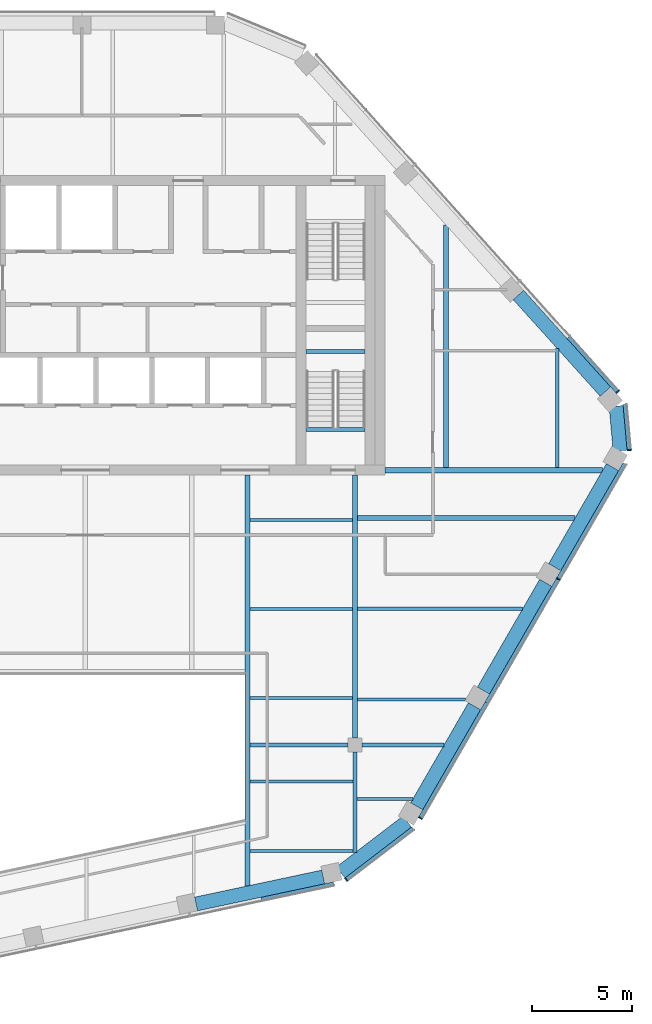
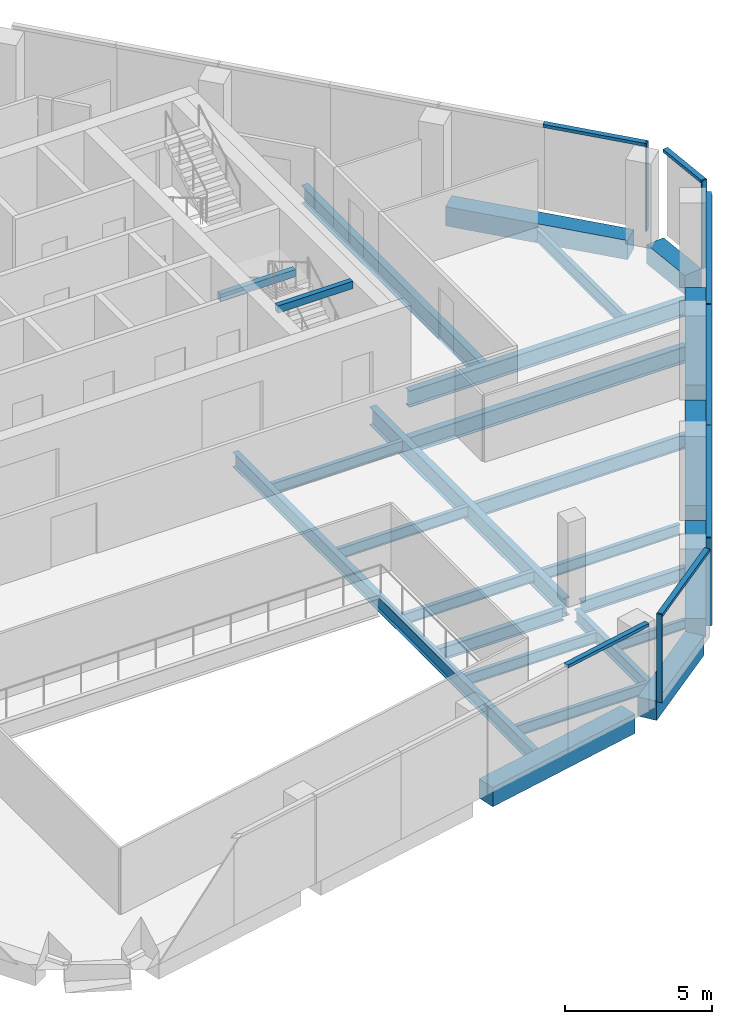
# One storey, part 4 of 15: 26 beams, 12 members, 5 elements without a shape of their own.
"""IFC4 building model written with IfcOpenShell, lengths in metres."""

from ifc_helpers import new_model, si_unit, direction, frame, origin, origin_2d, place, context, subcontext, project, spatial, rectangle, i_section, extrude, material, layer, layer_set, material_profile, profile_set, type_object, element, aggregate, save


model = new_model("IFC4")

# Units and contexts
model_context = context("Model", 3, precision=1e-05, world=origin(), true_north=direction((0.0, 1.0)))
body_context = subcontext(model_context, "Body", "Model", "MODEL_VIEW")
ifc_project = project(units=[si_unit("LENGTHUNIT", "METRE"), si_unit("AREAUNIT", "SQUARE_METRE"), si_unit("VOLUMEUNIT", "CUBIC_METRE"), si_unit("PLANEANGLEUNIT", "RADIAN"), si_unit("MASSUNIT", "GRAM", prefix="KILO")], contexts=[model_context])

# Site, building, storey
site_placement = place(None, origin())
site = spatial("IfcSite", under=ifc_project, at=site_placement, CompositionType="ELEMENT")
building_placement = place(site_placement, origin())
building = spatial("IfcBuilding", under=site, at=building_placement, Name="Isthmus Gate Tower", CompositionType="ELEMENT")
storey_placement = place(building_placement, frame((0.0, 0.0, 268.25)))
storey = spatial("IfcBuildingStorey", under=building, at=storey_placement, Name="L68", CompositionType="ELEMENT", Elevation=268.25)

# Curtain wall, member
ifc_material_1 = material(Name="Aluminium, pale champagne anodised", Category="aluminium")
ifc_layer = layer(ifc_material_1, 0.199951171875)
ifc_layer_set = layer_set([ifc_layer], Name="CW-1 UNITISED CURTAIN WALL 200 DEEP")
curtain_wall_type = type_object("IfcCurtainWallType", Name="CW-1 UNITISED CURTAIN WALL 200 DEEP", PredefinedType="NOTDEFINED", material=ifc_layer_set)
curtain_wall_1_placement = place(storey_placement, origin())
curtain_wall_1 = element("IfcCurtainWall", 1, at=curtain_wall_1_placement, inside=storey, type_object=curtain_wall_type, Name="CW-1 S-SE L68", PredefinedType="NOTDEFINED")
ifc_material_2 = material(Name="Aluminium, pale champagne anodised", Category="aluminium")
ifc_material_profile_1 = material_profile(ifc_material_2, rectangle(XDim=0.06005859375, YDim=0.199951171875, at=origin_2d()), Name="60x200")
ifc_profile_set_1 = profile_set([ifc_material_profile_1], Name="Aluminium, pale champagne anodised")
member_type_1 = type_object("IfcMemberType", Name="CW-1 MULLION 60 X 200", PredefinedType="MULLION", material=ifc_profile_set_1)
member_1_placement = place(storey_placement, frame((13.055908203125, -20.241455078125, 0.0), z_axis=(0.0, 0.0, 1.0), x_axis=(0.794188594387, 0.607671355706, 0.0)))
member_1 = element("IfcMember", 2, at=member_1_placement, type_object=member_type_1, Name="CW-1 mullion", PredefinedType="MULLION", context=body_context, shape_type="SweptSolid", body=[
    extrude(rectangle(XDim=0.06005859375, YDim=0.199951171875, at=origin_2d()), origin(), (0.0, 0.0, 1.0), 3.64990234375),
])

# Curtain wall, members
curtain_wall_2_placement = place(storey_placement, origin())
curtain_wall_2 = element("IfcCurtainWall", 3, at=curtain_wall_2_placement, inside=storey, type_object=curtain_wall_type, Name="CW-1 SE L68", PredefinedType="NOTDEFINED")
member_2_placement = place(storey_placement, frame((16.765380859375, -17.161376953125, 0.0), z_axis=(0.0, 0.0, 1.0), x_axis=(0.5, 0.866025403784, 0.0)))
member_2 = element("IfcMember", 4, at=member_2_placement, type_object=member_type_1, Name="CW-1 mullion", PredefinedType="MULLION", context=body_context, shape_type="SweptSolid", body=[
    extrude(rectangle(XDim=0.06005859375, YDim=0.199951171875, at=origin_2d()), origin(), (0.0, 0.0, 1.0), 3.64990234375),
])
member_3_placement = place(storey_placement, frame((23.675048828125, -5.193603515625, 0.0), z_axis=(0.0, 0.0, 1.0), x_axis=(0.5, 0.866025403784, 0.0)))
member_3 = element("IfcMember", 5, at=member_3_placement, type_object=member_type_1, Name="CW-1 mullion", PredefinedType="MULLION", context=body_context, shape_type="SweptSolid", body=[
    extrude(rectangle(XDim=0.06005859375, YDim=0.199951171875, at=origin_2d()), origin(), (0.0, 0.0, 1.0), 3.64990234375),
])

# Curtain wall, member
curtain_wall_3_placement = place(storey_placement, origin())
curtain_wall_3 = element("IfcCurtainWall", 6, at=curtain_wall_3_placement, inside=storey, type_object=curtain_wall_type, Name="CW-1 SE-NE L68", PredefinedType="NOTDEFINED")
member_4_placement = place(storey_placement, frame((27.21875, 1.258056640625, 0.0), z_axis=(0.0, 0.0, 1.0), x_axis=(-0.089396669717, 0.995996102123, 0.0)))
member_4 = element("IfcMember", 7, at=member_4_placement, type_object=member_type_1, Name="CW-1 mullion", PredefinedType="MULLION", context=body_context, shape_type="SweptSolid", body=[
    extrude(rectangle(XDim=0.06005859375, YDim=0.199951171875, at=origin_2d()), origin(), (0.0, 0.0, 1.0), 3.64990234375),
])

curtain_wall_4_placement = place(storey_placement, origin())
curtain_wall_4 = element("IfcCurtainWall", 8, at=curtain_wall_4_placement, inside=storey, type_object=curtain_wall_type, Name="CW-1 NE L68", PredefinedType="NOTDEFINED")
member_5_placement = place(storey_placement, frame((26.6474609375, 4.17626953125, 0.0), z_axis=(0.0, 0.0, 1.0), x_axis=(-0.669130606359, 0.743144825477, 0.0)))
member_5 = element("IfcMember", 9, at=member_5_placement, type_object=member_type_1, Name="CW-1 mullion", PredefinedType="MULLION", context=body_context, shape_type="SweptSolid", body=[
    extrude(rectangle(XDim=0.06005859375, YDim=0.199951171875, at=origin_2d()), origin(), (0.0, 0.0, 1.0), 3.64990234375),
])

curtain_wall_5_placement = place(storey_placement, origin())
curtain_wall_5 = element("IfcCurtainWall", 10, at=curtain_wall_5_placement, inside=storey, type_object=curtain_wall_type, Name="CW-1 S L68", PredefinedType="NOTDEFINED")
ifc_material_3 = material(Name="Aluminium, pale champagne anodised", Category="aluminium")
ifc_material_profile_2 = material_profile(ifc_material_3, rectangle(XDim=0.199951171875, YDim=0.1298828125, at=origin_2d()), Name="200x130")
ifc_profile_set_2 = profile_set([ifc_material_profile_2], Name="Aluminium, pale champagne anodised")
member_type_2 = type_object("IfcMemberType", Name="CW-1 TRANSOM 200 X 130", PredefinedType="USERDEFINED", material=ifc_profile_set_2)
member_6_placement = place(storey_placement, frame((8.816162109375, -21.228271484375, 3.5849609375), z_axis=(0.978146451283, 0.207917098487, 0.0), x_axis=(-0.207917098487, 0.978146451283, 0.0)))
member_6 = element("IfcMember", 11, at=member_6_placement, type_object=member_type_2, Name="CW-1 transom", ObjectType="TRANSOM", PredefinedType="USERDEFINED", context=body_context, shape_type="SweptSolid", body=[
    extrude(rectangle(XDim=0.199951171875, YDim=0.1298828125, at=origin_2d()), origin(), (0.0, 0.0, 1.0), 3.70361328125),
])
aggregate(curtain_wall_5, [member_6])

# Member
member_7_placement = place(storey_placement, frame((13.07958984375, -20.22314453125, 3.5849609375), z_axis=(0.794225234414, 0.607623466482, 0.0), x_axis=(-0.607623466482, 0.794225234414, 0.0)))
member_7 = element("IfcMember", 12, at=member_7_placement, type_object=member_type_2, Name="CW-1 transom", ObjectType="TRANSOM", PredefinedType="USERDEFINED", context=body_context, shape_type="SweptSolid", body=[
    extrude(rectangle(XDim=0.199951171875, YDim=0.1298828125, at=origin_2d()), origin(), (0.0, 0.0, 1.0), 4.181396484375),
])

aggregate(curtain_wall_1, [member_1, member_7])

member_8_placement = place(storey_placement, frame((16.780517578125, -17.135498046875, 3.5849609375), z_axis=(0.49999574405, 0.866027860944, 0.0), x_axis=(-0.866027860944, 0.49999574405, 0.0)))
member_8 = element("IfcMember", 13, at=member_8_placement, type_object=member_type_2, Name="CW-1 transom", ObjectType="TRANSOM", PredefinedType="USERDEFINED", context=body_context, shape_type="SweptSolid", body=[
    extrude(rectangle(XDim=0.199951171875, YDim=0.1298828125, at=origin_2d()), origin(), (0.0, 0.0, 1.0), 6.62451171875),
])

member_9_placement = place(storey_placement, frame((20.0927734375, -11.3984375, 3.5849609375), z_axis=(0.499985098601, 0.86603400694, 0.0), x_axis=(-0.86603400694, 0.499985098601, 0.0)))
member_9 = element("IfcMember", 14, at=member_9_placement, type_object=member_type_2, Name="CW-1 transom", ObjectType="TRANSOM", PredefinedType="USERDEFINED", context=body_context, shape_type="SweptSolid", body=[
    extrude(rectangle(XDim=0.199951171875, YDim=0.1298828125, at=origin_2d()), origin(), (0.0, 0.0, 1.0), 7.134521484375),
])

member_10_placement = place(storey_placement, frame((23.68994140625, -5.167724609375, 3.5849609375), z_axis=(0.49999574405, 0.866027860944, 0.0), x_axis=(-0.866027860944, 0.49999574405, 0.0)))
member_10 = element("IfcMember", 15, at=member_10_placement, type_object=member_type_2, Name="CW-1 transom", ObjectType="TRANSOM", PredefinedType="USERDEFINED", context=body_context, shape_type="SweptSolid", body=[
    extrude(rectangle(XDim=0.199951171875, YDim=0.1298828125, at=origin_2d()), origin(), (0.0, 0.0, 1.0), 6.62451171875),
])

aggregate(curtain_wall_2, [member_2, member_8, member_9, member_3, member_10])

member_11_placement = place(storey_placement, frame((27.216064453125, 1.287841796875, 3.5849609375), z_axis=(-0.089395362867, 0.995996219419, 0.0), x_axis=(-0.995996219419, -0.089395362867, 0.0)))
member_11 = element("IfcMember", 16, at=member_11_placement, type_object=member_type_2, Name="CW-1 transom", ObjectType="TRANSOM", PredefinedType="USERDEFINED", context=body_context, shape_type="SweptSolid", body=[
    extrude(rectangle(XDim=0.199951171875, YDim=0.1298828125, at=origin_2d()), origin(), (0.0, 0.0, 1.0), 2.258544921875),
])

aggregate(curtain_wall_3, [member_4, member_11])

member_12_placement = place(storey_placement, frame((26.62744140625, 4.198486328125, 3.5849609375), z_axis=(-0.669149818044, 0.743127526749, 0.0), x_axis=(-0.743127526749, -0.669149818044, 0.0)))
member_12 = element("IfcMember", 17, at=member_12_placement, type_object=member_type_2, Name="CW-1 transom", ObjectType="TRANSOM", PredefinedType="USERDEFINED", context=body_context, shape_type="SweptSolid", body=[
    extrude(rectangle(XDim=0.199951171875, YDim=0.1298828125, at=origin_2d()), origin(), (0.0, 0.0, 1.0), 3.643310546875),
])

aggregate(curtain_wall_4, [member_5, member_12])

# Beams
ifc_material_4 = material(Name="Concrete f'c 50 MPa", Category="concrete")
ifc_material_profile_3 = material_profile(ifc_material_4, rectangle(XDim=0.699951171875, YDim=0.800048828125, at=origin_2d()), Name="RC 700X800")
ifc_profile_set_3 = profile_set([ifc_material_profile_3], Name="Concrete f'c 50 MPa")
beam_type_1 = type_object("IfcBeamType", Name="RC SPANDREL 700 X 800", PredefinedType="SPANDREL", material=ifc_profile_set_3)
beam_1_placement = place(storey_placement, frame((21.67822265625, 9.022705078125, -0.39990234375), z_axis=(0.669122265754, -0.743152335307, 0.0), x_axis=(0.743152335307, 0.669122265754, 0.0)))
element("IfcBeam", 18, at=beam_1_placement, inside=storey, type_object=beam_type_1, Name="str-spandrel-L68-03", PredefinedType="SPANDREL", context=body_context, shape_type="SweptSolid", body=[
    extrude(rectangle(XDim=0.699951171875, YDim=0.800048828125, at=origin_2d()), origin(), (0.0, 0.0, 1.0), 6.506591796875),
])
beam_2_placement = place(storey_placement, frame((26.5693359375, 3.459716796875, -0.39990234375), z_axis=(0.089359478208, -0.995999439585, 0.0), x_axis=(0.995999439585, 0.089359478208, 0.0)))
element("IfcBeam", 19, at=beam_2_placement, inside=storey, type_object=beam_type_1, Name="str-spandrel-L68-04", PredefinedType="SPANDREL", context=body_context, shape_type="SweptSolid", body=[
    extrude(rectangle(XDim=0.699951171875, YDim=0.800048828125, at=origin_2d()), origin(), (0.0, 0.0, 1.0), 2.245849609375),
])
beam_3_placement = place(storey_placement, frame((26.387451171875, 0.404541015625, -0.39990234375), z_axis=(-0.499979418648, -0.866037286108, 0.0), x_axis=(0.866037286108, -0.499979418648, 0.0)))
element("IfcBeam", 20, at=beam_3_placement, inside=storey, type_object=beam_type_1, Name="str-spandrel-L68-05", PredefinedType="SPANDREL", context=body_context, shape_type="SweptSolid", body=[
    extrude(rectangle(XDim=0.699951171875, YDim=0.800048828125, at=origin_2d()), origin(), (0.0, 0.0, 1.0), 5.784423828125),
])
beam_4_placement = place(storey_placement, frame((23.045166015625, -5.384521484375, -0.39990234375), z_axis=(-0.499997027648, -0.866027119866, 0.0), x_axis=(0.866027119866, -0.499997027648, 0.0)))
element("IfcBeam", 21, at=beam_4_placement, inside=storey, type_object=beam_type_1, Name="str-spandrel-L68-06", PredefinedType="SPANDREL", context=body_context, shape_type="SweptSolid", body=[
    extrude(rectangle(XDim=0.699951171875, YDim=0.800048828125, at=origin_2d()), origin(), (0.0, 0.0, 1.0), 6.234375),
])
beam_5_placement = place(storey_placement, frame((19.47802734375, -11.56298828125, -0.39990234375), z_axis=(-0.499992798144, -0.866029561738, 0.0), x_axis=(0.866029561738, -0.499992798144, 0.0)))
element("IfcBeam", 22, at=beam_5_placement, inside=storey, type_object=beam_type_1, Name="str-spandrel-L68-07", PredefinedType="SPANDREL", context=body_context, shape_type="SweptSolid", body=[
    extrude(rectangle(XDim=0.699951171875, YDim=0.800048828125, at=origin_2d()), origin(), (0.0, 0.0, 1.0), 5.78466796875),
])
beam_6_placement = place(storey_placement, frame((16.110595703125, -17.337646484375, -0.39990234375), z_axis=(-0.794204252251, -0.607650891307, 0.0), x_axis=(0.607650891307, -0.794204252251, 0.0)))
element("IfcBeam", 23, at=beam_6_placement, inside=storey, type_object=beam_type_1, Name="str-spandrel-L68-08", PredefinedType="SPANDREL", context=body_context, shape_type="SweptSolid", body=[
    extrude(rectangle(XDim=0.699951171875, YDim=0.800048828125, at=origin_2d()), origin(), (0.0, 0.0, 1.0), 4.197021484375),
])
beam_7_placement = place(storey_placement, frame((11.90478515625, -20.11181640625, -0.39990234375), z_axis=(-0.978148646173, -0.207906772352, 0.0), x_axis=(0.207906772352, -0.978148646173, 0.0)))
element("IfcBeam", 24, at=beam_7_placement, inside=storey, type_object=beam_type_1, Name="str-spandrel-L68-09", PredefinedType="SPANDREL", context=body_context, shape_type="SweptSolid", body=[
    extrude(rectangle(XDim=0.699951171875, YDim=0.800048828125, at=origin_2d()), origin(), (0.0, 0.0, 1.0), 6.506591796875),
])
ifc_material_5 = material(Name="Concrete f'c 40 MPa", Category="concrete")
ifc_material_profile_4 = material_profile(ifc_material_5, rectangle(XDim=0.199951171875, YDim=0.300048828125, at=origin_2d()), Name="STAIR LANDING BEAM RC 200 X 300")
ifc_profile_set_4 = profile_set([ifc_material_profile_4], Name="Concrete f'c 40 MPa")
beam_type_2 = type_object("IfcBeamType", Name="STAIR LANDING BEAM RC 200 X 300", PredefinedType="BEAM", material=ifc_profile_set_4)
for number, where, z_axis, x_axis, name in (
    (25, (11.050048828125, 6.199951171875, 1.47509765625), (1.0, 0.0, 0.0), (0.0, 1.0, 0.0), "L68 ST8 landing beam 1"),
    (26, (11.050048828125, 2.2998046875, 3.35009765625), (1.0, 0.0, 0.0), (0.0, 1.0, 0.0), "L68 ST8 floor-edge seat beam"),
):
    element("IfcBeam", number, at=place(storey_placement, frame(where, z_axis=z_axis, x_axis=x_axis)), inside=storey, type_object=beam_type_2, Name=name, PredefinedType="BEAM", context=body_context, shape_type="SweptSolid", body=[
        extrude(rectangle(XDim=0.199951171875, YDim=0.300048828125, at=origin_2d()), origin(), (0.0, 0.0, 1.0), 2.949951171875),
    ])
ifc_material_6 = material(Name="Structural steel ASTM A992 Gr 50", Category="steel")
ifc_material_profile_5 = material_profile(ifc_material_6, i_section(OverallWidth=0.1396484375, OverallDepth=0.4033203125, WebThickness=0.00634765625, FlangeThickness=0.010986328125, at=origin_2d()), Name="W16X31")
ifc_profile_set_5 = profile_set([ifc_material_profile_5], Name="Structural steel ASTM A992 Gr 50")
beam_type_3 = type_object("IfcBeamType", Name="STEEL FLOOR BEAM W16X31", PredefinedType="JOIST", material=ifc_profile_set_5)
beam_8_placement = place(storey_placement, frame((13.604736328125, -16.20947265625, -0.3515625), z_axis=(1.0, 0.0, 0.0), x_axis=(0.0, 1.0, 0.0)))
element("IfcBeam", 27, at=beam_8_placement, inside=storey, type_object=beam_type_3, Name="str-beam-L68-11-00", PredefinedType="JOIST", context=body_context, shape_type="SweptSolid", body=[
    extrude(i_section(OverallWidth=0.1396484375, OverallDepth=0.4033203125, WebThickness=0.00634765625, FlangeThickness=0.010986328125, at=origin_2d()), origin(), (0.0, 0.0, 1.0), 2.78662109375),
])
ifc_material_7 = material(Name="Structural steel ASTM A992 Gr 50", Category="steel")
ifc_material_profile_6 = material_profile(ifc_material_7, i_section(OverallWidth=0.15234375, OverallDepth=0.45068359375, WebThickness=0.0078125, FlangeThickness=0.010986328125, at=origin_2d()), Name="W18X35")
ifc_profile_set_6 = profile_set([ifc_material_profile_6], Name="Structural steel ASTM A992 Gr 50")
beam_type_4 = type_object("IfcBeamType", Name="STEEL FLOOR BEAM W18X35", PredefinedType="JOIST", material=ifc_profile_set_6)
for number, where, z_axis, x_axis, name in (
    (28, (8.228515625, -18.802734375, -0.37548828125), (1.0, 0.0, 0.0), (0.0, 1.0, 0.0), "str-beam-L68-09-00"),
    (29, (8.228515625, -15.33740234375, -0.37548828125), (1.0, 0.0, 0.0), (0.0, 1.0, 0.0), "str-beam-L68-09-01"),
):
    element("IfcBeam", number, at=place(storey_placement, frame(where, z_axis=z_axis, x_axis=x_axis)), inside=storey, type_object=beam_type_4, Name=name, PredefinedType="JOIST", context=body_context, shape_type="SweptSolid", body=[
        extrude(i_section(OverallWidth=0.15234375, OverallDepth=0.45068359375, WebThickness=0.0078125, FlangeThickness=0.010986328125, at=origin_2d()), origin(), (0.0, 0.0, 1.0), 5.166748046875),
    ])
for number, where, z_axis, x_axis, name in (
    (30, (8.228515625, -11.16259765625, -0.37548828125), (1.0, 0.0, 0.0), (0.0, 1.0, 0.0), "str-beam-L68-10-00"),
    (31, (8.228515625, -6.697509765625, -0.37548828125), (1.0, 0.0, 0.0), (0.0, 1.0, 0.0), "str-beam-L68-10-01"),
    (32, (8.228515625, -2.232421875, -0.37548828125), (1.0, 0.0, 0.0), (0.0, 1.0, 0.0), "str-beam-L68-10-02"),
):
    element("IfcBeam", number, at=place(storey_placement, frame(where, z_axis=z_axis, x_axis=x_axis)), inside=storey, type_object=beam_type_4, Name=name, PredefinedType="JOIST", context=body_context, shape_type="SweptSolid", body=[
        extrude(i_section(OverallWidth=0.15234375, OverallDepth=0.45068359375, WebThickness=0.0078125, FlangeThickness=0.010986328125, at=origin_2d()), origin(), (0.0, 0.0, 1.0), 5.1396484375),
    ])
beam_9_placement = place(storey_placement, frame((13.6318359375, -11.2294921875, -0.37548828125), z_axis=(1.0, 0.0, 0.0), x_axis=(0.0, 1.0, 0.0)))
element("IfcBeam", 33, at=beam_9_placement, inside=storey, type_object=beam_type_4, Name="str-beam-L68-12-00", PredefinedType="JOIST", context=body_context, shape_type="SweptSolid", body=[
    extrude(i_section(OverallWidth=0.15234375, OverallDepth=0.45068359375, WebThickness=0.0078125, FlangeThickness=0.010986328125, at=origin_2d()), origin(), (0.0, 0.0, 1.0), 5.40380859375),
])
ifc_material_8 = material(Name="Structural steel ASTM A992 Gr 50", Category="steel")
ifc_material_profile_7 = material_profile(ifc_material_8, i_section(OverallWidth=0.1650390625, OverallDepth=0.52392578125, WebThickness=0.009521484375, FlangeThickness=0.010986328125, at=origin_2d()), Name="W21X44")
ifc_profile_set_7 = profile_set([ifc_material_profile_7], Name="Structural steel ASTM A992 Gr 50")
beam_type_5 = type_object("IfcBeamType", Name="STEEL FLOOR BEAM W21X44", PredefinedType="JOIST", material=ifc_profile_set_7)
beam_10_placement = place(storey_placement, frame((23.61865234375, 0.376953125, -0.411865234375), z_axis=(0.0, 1.0, 0.0), x_axis=(-1.0, 0.0, 0.0)))
element("IfcBeam", 34, at=beam_10_placement, inside=storey, type_object=beam_type_5, Name="str-beam-L68-07-07", PredefinedType="JOIST", context=body_context, shape_type="SweptSolid", body=[
    extrude(i_section(OverallWidth=0.1650390625, OverallDepth=0.52392578125, WebThickness=0.009521484375, FlangeThickness=0.010986328125, at=origin_2d()), origin(), (0.0, 0.0, 1.0), 5.967529296875),
])
ifc_material_9 = material(Name="Structural steel ASTM A992 Gr 50", Category="steel")
ifc_material_profile_8 = material_profile(ifc_material_9, i_section(OverallWidth=0.177734375, OverallDepth=0.60009765625, WebThickness=0.009521484375, FlangeThickness=0.0126953125, at=origin_2d()), Name="W24X55")
ifc_profile_set_8 = profile_set([ifc_material_profile_8], Name="Structural steel ASTM A992 Gr 50")
beam_type_6 = type_object("IfcBeamType", Name="STEEL FLOOR BEAM W24X55", PredefinedType="JOIST", material=ifc_profile_set_8)
beam_11_placement = place(storey_placement, frame((13.6318359375, -6.6884765625, -0.449951171875), z_axis=(1.0, 0.0, 0.0), x_axis=(0.0, 1.0, 0.0)))
element("IfcBeam", 35, at=beam_11_placement, inside=storey, type_object=beam_type_6, Name="str-beam-L68-12-01", PredefinedType="JOIST", context=body_context, shape_type="SweptSolid", body=[
    extrude(i_section(OverallWidth=0.177734375, OverallDepth=0.60009765625, WebThickness=0.009521484375, FlangeThickness=0.0126953125, at=origin_2d()), origin(), (0.0, 0.0, 1.0), 8.25634765625),
])
ifc_material_10 = material(Name="Structural steel ASTM A992 Gr 50", Category="steel")
ifc_material_profile_9 = material_profile(ifc_material_10, i_section(OverallWidth=0.25390625, OverallDepth=0.679443359375, WebThickness=0.010986328125, FlangeThickness=0.015869140625, at=origin_2d()), Name="W27X84")
ifc_profile_set_9 = profile_set([ifc_material_profile_9], Name="Structural steel ASTM A992 Gr 50")
beam_type_7 = type_object("IfcBeamType", Name="STEEL FLOOR BEAM W27X84", PredefinedType="JOIST", material=ifc_profile_set_9)
beam_12_placement = place(storey_placement, frame((13.6318359375, -2.1474609375, -0.48974609375), z_axis=(1.0, 0.0, 0.0), x_axis=(0.0, 1.0, 0.0)))
element("IfcBeam", 36, at=beam_12_placement, inside=storey, type_object=beam_type_7, Name="str-beam-L68-12-02", PredefinedType="JOIST", context=body_context, shape_type="SweptSolid", body=[
    extrude(i_section(OverallWidth=0.25390625, OverallDepth=0.679443359375, WebThickness=0.010986328125, FlangeThickness=0.015869140625, at=origin_2d()), origin(), (0.0, 0.0, 1.0), 10.878173828125),
])
ifc_material_11 = material(Name="Structural steel ASTM A992 Gr 50", Category="steel")
ifc_material_profile_10 = material_profile(ifc_material_11, i_section(OverallWidth=0.263427734375, OverallDepth=0.749267578125, WebThickness=0.0126953125, FlangeThickness=0.015869140625, at=origin_2d()), Name="W30X90")
ifc_profile_set_10 = profile_set([ifc_material_profile_10], Name="Structural steel ASTM A992 Gr 50")
beam_type_8 = type_object("IfcBeamType", Name="STEEL FLOOR BEAM W30X90", PredefinedType="JOIST", material=ifc_profile_set_10)
beam_13_placement = place(storey_placement, frame((18.05712890625, 0.376953125, -0.524658203125), z_axis=(0.0, 1.0, 0.0), x_axis=(-1.0, 0.0, 0.0)))
element("IfcBeam", 37, at=beam_13_placement, inside=storey, type_object=beam_type_8, Name="str-beam-L68-07-06", PredefinedType="JOIST", context=body_context, shape_type="SweptSolid", body=[
    extrude(i_section(OverallWidth=0.263427734375, OverallDepth=0.749267578125, WebThickness=0.0126953125, FlangeThickness=0.015869140625, at=origin_2d()), origin(), (0.0, 0.0, 1.0), 12.144287109375),
])
ifc_material_12 = material(Name="Structural steel ASTM A992 Gr 50", Category="steel")
ifc_material_profile_11 = material_profile(ifc_material_12, i_section(OverallWidth=0.20947265625, OverallDepth=0.533447265625, WebThickness=0.009521484375, FlangeThickness=0.015869140625, at=origin_2d()), Name="W21X62")
ifc_profile_set_11 = profile_set([ifc_material_profile_11], Name="Structural steel ASTM A992 Gr 50")
beam_type_9 = type_object("IfcBeamType", Name="STEEL GIRDER W21X62", PredefinedType="BEAM", material=ifc_profile_set_11)
beam_14_placement = place(storey_placement, frame((8.228515625, -13.5, -0.416748046875), z_axis=(1.0, 0.0, 0.0), x_axis=(0.0, 1.0, 0.0)))
element("IfcBeam", 38, at=beam_14_placement, inside=storey, type_object=beam_type_9, Name="str-girder-L68-03", PredefinedType="BEAM", context=body_context, shape_type="SweptSolid", body=[
    extrude(i_section(OverallWidth=0.20947265625, OverallDepth=0.533447265625, WebThickness=0.009521484375, FlangeThickness=0.015869140625, at=origin_2d()), origin(), (0.0, 0.0, 1.0), 4.92138671875),
])
beam_15_placement = place(storey_placement, frame((13.85009765625, -13.5, -0.416748046875), z_axis=(1.0, 0.0, 0.0), x_axis=(0.0, 1.0, 0.0)))
element("IfcBeam", 39, at=beam_15_placement, inside=storey, type_object=beam_type_9, Name="str-girder-L68-04", PredefinedType="BEAM", context=body_context, shape_type="SweptSolid", body=[
    extrude(i_section(OverallWidth=0.20947265625, OverallDepth=0.533447265625, WebThickness=0.009521484375, FlangeThickness=0.015869140625, at=origin_2d()), origin(), (0.0, 0.0, 1.0), 4.10546875),
])
beam_16_placement = place(storey_placement, frame((13.5, -18.894287109375, -0.416748046875), z_axis=(0.0, 1.0, 0.0), x_axis=(-1.0, 0.0, 0.0)))
element("IfcBeam", 40, at=beam_16_placement, inside=storey, type_object=beam_type_9, Name="str-girder-L68-07", PredefinedType="BEAM", context=body_context, shape_type="SweptSolid", body=[
    extrude(i_section(OverallWidth=0.20947265625, OverallDepth=0.533447265625, WebThickness=0.009521484375, FlangeThickness=0.015869140625, at=origin_2d()), origin(), (0.0, 0.0, 1.0), 5.044189453125),
])
ifc_material_13 = material(Name="Structural steel ASTM A992 Gr 50", Category="steel")
ifc_material_profile_12 = material_profile(ifc_material_13, i_section(OverallWidth=0.25390625, OverallDepth=0.679443359375, WebThickness=0.010986328125, FlangeThickness=0.015869140625, at=origin_2d()), Name="W27X84")
ifc_profile_set_12 = profile_set([ifc_material_profile_12], Name="Structural steel ASTM A992 Gr 50")
beam_type_10 = type_object("IfcBeamType", Name="STEEL GIRDER W27X84", PredefinedType="BEAM", material=ifc_profile_set_12)
beam_17_placement = place(storey_placement, frame((15.0, 0.25, -0.48974609375), z_axis=(1.0, 0.0, 0.0), x_axis=(0.0, 1.0, 0.0)))
element("IfcBeam", 41, at=beam_17_placement, inside=storey, type_object=beam_type_10, Name="str-girder-L68-10", PredefinedType="BEAM", context=body_context, shape_type="SweptSolid", body=[
    extrude(i_section(OverallWidth=0.25390625, OverallDepth=0.679443359375, WebThickness=0.010986328125, FlangeThickness=0.015869140625, at=origin_2d()), origin(), (0.0, 0.0, 1.0), 10.89404296875),
])
ifc_material_14 = material(Name="Structural steel ASTM A992 Gr 50", Category="steel")
ifc_material_profile_13 = material_profile(ifc_material_14, i_section(OverallWidth=0.263427734375, OverallDepth=0.749267578125, WebThickness=0.0126953125, FlangeThickness=0.015869140625, at=origin_2d()), Name="W30X90")
ifc_profile_set_13 = profile_set([ifc_material_profile_13], Name="Structural steel ASTM A992 Gr 50")
beam_type_11 = type_object("IfcBeamType", Name="STEEL GIRDER W30X90", PredefinedType="BEAM", material=ifc_profile_set_13)
beam_18_placement = place(storey_placement, frame((13.5, -13.14990234375, -0.524658203125), z_axis=(0.0, 1.0, 0.0), x_axis=(-1.0, 0.0, 0.0)))
element("IfcBeam", 42, at=beam_18_placement, inside=storey, type_object=beam_type_11, Name="str-girder-L68-08", PredefinedType="BEAM", context=body_context, shape_type="SweptSolid", body=[
    extrude(i_section(OverallWidth=0.263427734375, OverallDepth=0.749267578125, WebThickness=0.0126953125, FlangeThickness=0.015869140625, at=origin_2d()), origin(), (0.0, 0.0, 1.0), 13.14990234375),
])
ifc_material_15 = material(Name="Structural steel ASTM A992 Gr 50", Category="steel")
ifc_material_profile_14 = material_profile(ifc_material_15, i_section(OverallWidth=0.228515625, OverallDepth=0.603271484375, WebThickness=0.010986328125, FlangeThickness=0.014404296875, at=origin_2d()), Name="W24X68")
ifc_profile_set_14 = profile_set([ifc_material_profile_14], Name="Structural steel ASTM A992 Gr 50")
beam_type_12 = type_object("IfcBeamType", Name="STEEL TRIMMER W24X68", PredefinedType="BEAM", material=ifc_profile_set_14)
beam_19_placement = place(storey_placement, frame((8.1142578125, -20.5595703125, -0.45166015625), z_axis=(0.0, 1.0, 0.0), x_axis=(-1.0, 0.0, 0.0)))
element("IfcBeam", 43, at=beam_19_placement, inside=storey, type_object=beam_type_12, Name="str-trimmer-L68-01", PredefinedType="BEAM", context=body_context, shape_type="SweptSolid", body=[
    extrude(i_section(OverallWidth=0.228515625, OverallDepth=0.603271484375, WebThickness=0.010986328125, FlangeThickness=0.014404296875, at=origin_2d()), origin(), (0.0, 0.0, 1.0), 20.5595703125),
])

save(model, "model.ifc")
